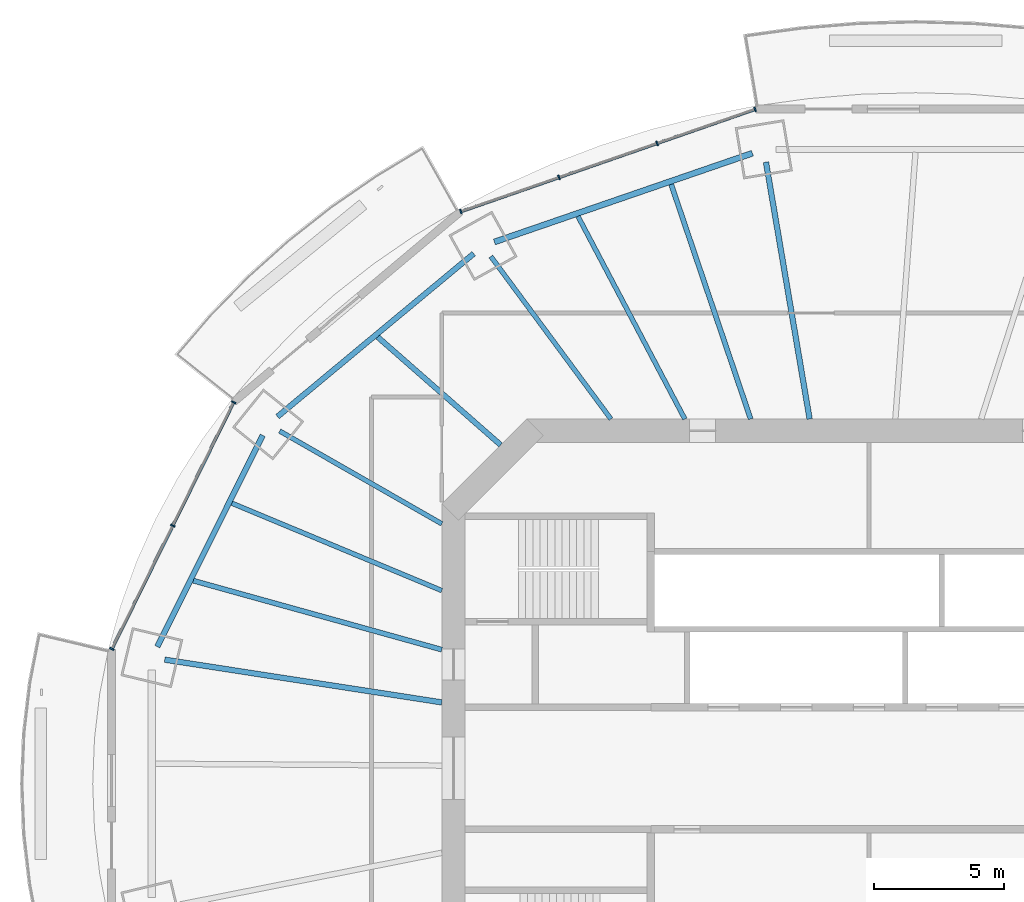
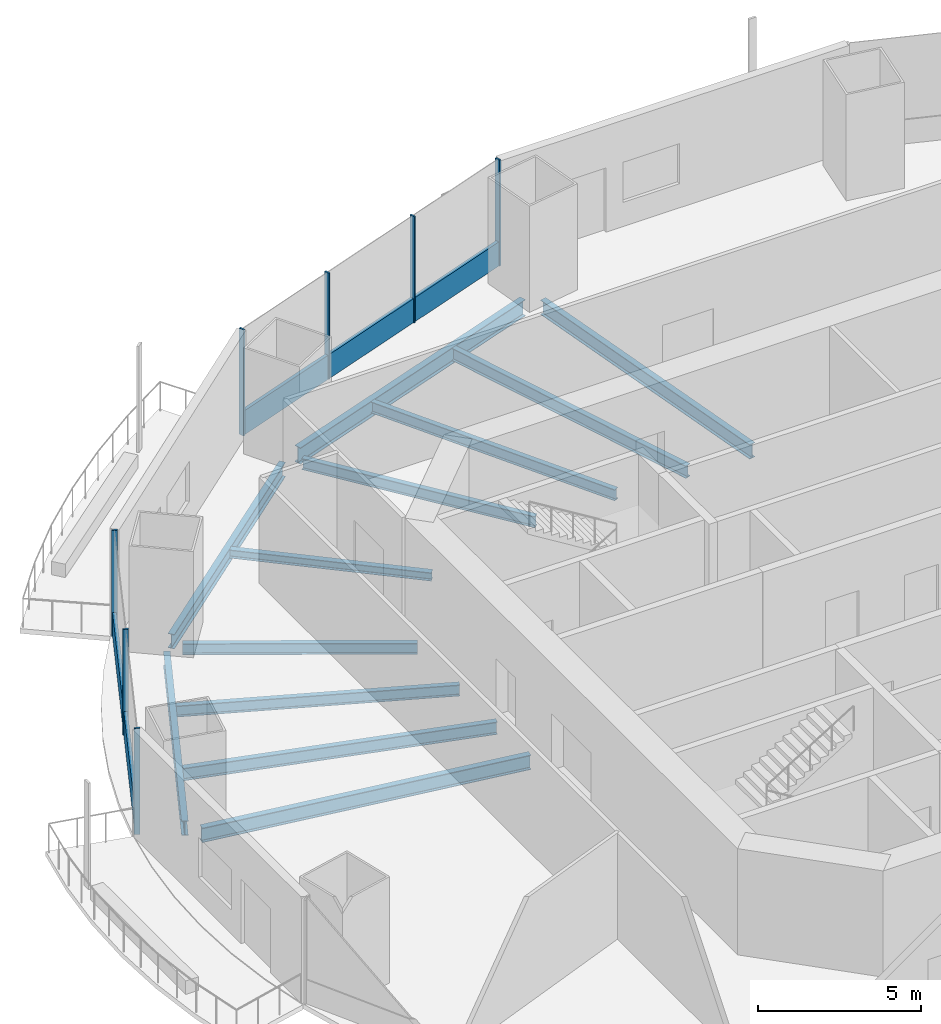
# One storey, part 6 of 21: 12 beams, 9 members, 2 elements without a shape of their own.
"""IFC4 building model written with IfcOpenShell, lengths in metres."""

from ifc_helpers import new_model, si_unit, direction, frame, origin, origin_2d, place, context, subcontext, project, spatial, rectangle, i_section, extrude, material, material_profile, profile_set, type_object, element, aggregate, save


model = new_model("IFC4")

# Units and contexts
model_context = context("Model", 3, precision=1e-05, world=origin(), true_north=direction((0.0, 1.0)))
body_context = subcontext(model_context, "Body", "Model", "MODEL_VIEW")
ifc_project = project(units=[si_unit("LENGTHUNIT", "METRE"), si_unit("AREAUNIT", "SQUARE_METRE"), si_unit("VOLUMEUNIT", "CUBIC_METRE"), si_unit("PLANEANGLEUNIT", "RADIAN"), si_unit("MASSUNIT", "GRAM", prefix="KILO")], contexts=[model_context])

# Site, building, storey
site_placement = place(None, origin())
site = spatial("IfcSite", under=ifc_project, at=site_placement, CompositionType="ELEMENT")
building_placement = place(site_placement, origin())
building = spatial("IfcBuilding", under=site, at=building_placement, Name="Marenthal Gate Tower", CompositionType="ELEMENT")
storey_placement = place(building_placement, frame((0.0, 0.0, 202.550048828125)))
storey = spatial("IfcBuildingStorey", under=building, at=storey_placement, Name="L44", CompositionType="ELEMENT", Elevation=202.550048828125)

# Curtain wall, members
ifc_material_1 = material(Name="Aluminium and glass", Category="aluminium")
curtain_wall_type = type_object("IfcCurtainWallType", Name="Curtain wall typical mid", PredefinedType="NOTDEFINED", material=ifc_material_1)
curtain_wall_1_placement = place(storey_placement, origin())
curtain_wall_1 = element("IfcCurtainWall", 1, at=curtain_wall_1_placement, inside=storey, type_object=curtain_wall_type, Name="Curtain wall L44 bay 5", PredefinedType="NOTDEFINED")
ifc_material_2 = material(Name="Aluminium", Category="aluminium")
ifc_material_profile_1 = material_profile(ifc_material_2, rectangle(XDim=0.179931640625, YDim=0.06005859375, at=origin_2d()), Name="60x180 aluminium mullion")
ifc_profile_set_1 = profile_set([ifc_material_profile_1], Name="Aluminium")
member_type_1 = type_object("IfcMemberType", Name="Mullion 60x180 typical mid", PredefinedType="MULLION", material=ifc_profile_set_1)
member_1_placement = place(storey_placement, frame((-4.3876953125, 25.3759765625, 0.0), z_axis=(0.0, 0.0, 1.0), x_axis=(0.328332307555, -0.944562277362, 0.0)))
member_1 = element("IfcMember", 2, at=member_1_placement, type_object=member_type_1, Name="Mullion L44 bay 5.1", PredefinedType="MULLION", context=body_context, shape_type="SweptSolid", body=[
    extrude(rectangle(XDim=0.179931640625, YDim=0.06005859375, at=origin_2d()), origin(), (0.0, 0.0, 1.0), 3.969970703125),
])
member_2_placement = place(storey_placement, frame((-8.16259765625, 24.06396484375, 0.0), z_axis=(0.0, 0.0, 1.0), x_axis=(0.328332307555, -0.944562277362, 0.0)))
member_2 = element("IfcMember", 3, at=member_2_placement, type_object=member_type_1, Name="Mullion L44 bay 5.2", PredefinedType="MULLION", context=body_context, shape_type="SweptSolid", body=[
    extrude(rectangle(XDim=0.179931640625, YDim=0.06005859375, at=origin_2d()), origin(), (0.0, 0.0, 1.0), 3.969970703125),
])
member_3_placement = place(storey_placement, frame((-11.937255859375, 22.751708984375, 0.0), z_axis=(0.0, 0.0, 1.0), x_axis=(0.328332307555, -0.944562277362, 0.0)))
member_3 = element("IfcMember", 4, at=member_3_placement, type_object=member_type_1, Name="Mullion L44 bay 5.3", PredefinedType="MULLION", context=body_context, shape_type="SweptSolid", body=[
    extrude(rectangle(XDim=0.179931640625, YDim=0.06005859375, at=origin_2d()), origin(), (0.0, 0.0, 1.0), 3.969970703125),
])
member_4_placement = place(storey_placement, frame((-15.712158203125, 21.439697265625, 0.0), z_axis=(0.0, 0.0, 1.0), x_axis=(0.328332307555, -0.944562277362, 0.0)))
member_4 = element("IfcMember", 5, at=member_4_placement, type_object=member_type_1, Name="Mullion L44 bay 5.4", PredefinedType="MULLION", context=body_context, shape_type="SweptSolid", body=[
    extrude(rectangle(XDim=0.179931640625, YDim=0.06005859375, at=origin_2d()), origin(), (0.0, 0.0, 1.0), 3.969970703125),
])

curtain_wall_2_placement = place(storey_placement, origin())
curtain_wall_2 = element("IfcCurtainWall", 6, at=curtain_wall_2_placement, inside=storey, type_object=curtain_wall_type, Name="Curtain wall L44 bay 7", PredefinedType="NOTDEFINED")
member_5_placement = place(storey_placement, frame((-24.464599609375, 14.093017578125, 0.0), z_axis=(0.0, 0.0, 1.0), x_axis=(0.896715617309, -0.442607164057, 0.0)))
member_5 = element("IfcMember", 7, at=member_5_placement, type_object=member_type_1, Name="Mullion L44 bay 7.1", PredefinedType="MULLION", context=body_context, shape_type="SweptSolid", body=[
    extrude(rectangle(XDim=0.179931640625, YDim=0.06005859375, at=origin_2d()), origin(), (0.0, 0.0, 1.0), 3.969970703125),
])
member_6_placement = place(storey_placement, frame((-26.808349609375, 9.34423828125, 0.0), z_axis=(0.0, 0.0, 1.0), x_axis=(0.896715617309, -0.442607164057, 0.0)))
member_6 = element("IfcMember", 8, at=member_6_placement, type_object=member_type_1, Name="Mullion L44 bay 7.2", PredefinedType="MULLION", context=body_context, shape_type="SweptSolid", body=[
    extrude(rectangle(XDim=0.179931640625, YDim=0.06005859375, at=origin_2d()), origin(), (0.0, 0.0, 1.0), 3.969970703125),
])
member_7_placement = place(storey_placement, frame((-29.152099609375, 4.595703125, 0.0), z_axis=(0.0, 0.0, 1.0), x_axis=(0.896715617309, -0.442607164057, 0.0)))
member_7 = element("IfcMember", 9, at=member_7_placement, type_object=member_type_1, Name="Mullion L44 bay 7.3", PredefinedType="MULLION", context=body_context, shape_type="SweptSolid", body=[
    extrude(rectangle(XDim=0.179931640625, YDim=0.06005859375, at=origin_2d()), origin(), (0.0, 0.0, 1.0), 3.969970703125),
])

# Member
ifc_material_3 = material(Name="Aluminium", Category="aluminium")
ifc_material_profile_2 = material_profile(ifc_material_3, rectangle(XDim=0.1201171875, YDim=0.89990234375, at=origin_2d()), Name="120x900 aluminium transom")
ifc_profile_set_2 = profile_set([ifc_material_profile_2], Name="Aluminium")
member_type_2 = type_object("IfcMemberType", Name="Transom 120x900 typical mid", PredefinedType="USERDEFINED", material=ifc_profile_set_2)
member_8_placement = place(storey_placement, frame((-4.416015625, 25.3662109375, 0.449951171875), z_axis=(-0.944561661675, -0.328334078787, 0.0), x_axis=(0.328334078787, -0.944561661675, 0.0)))
member_8 = element("IfcMember", 10, at=member_8_placement, type_object=member_type_2, Name="Transom L44 bay 5", ObjectType="TRANSOM", PredefinedType="USERDEFINED", context=body_context, shape_type="SweptSolid", body=[
    extrude(rectangle(XDim=0.1201171875, YDim=0.89990234375, at=origin_2d()), origin(), (0.0, 0.0, 1.0), 11.92919921875),
])

aggregate(curtain_wall_1, [member_1, member_2, member_3, member_4, member_8])

member_9_placement = place(storey_placement, frame((-24.477783203125, 14.06591796875, 0.449951171875), z_axis=(-0.442617393568, -0.896710568082, 0.0), x_axis=(0.896710568082, -0.442617393568, 0.0)))
member_9 = element("IfcMember", 11, at=member_9_placement, type_object=member_type_2, Name="Transom L44 bay 7", ObjectType="TRANSOM", PredefinedType="USERDEFINED", context=body_context, shape_type="SweptSolid", body=[
    extrude(rectangle(XDim=0.1201171875, YDim=0.89990234375, at=origin_2d()), origin(), (0.0, 0.0, 1.0), 10.53076171875),
])

aggregate(curtain_wall_2, [member_5, member_6, member_7, member_9])

# Beams
ifc_material_4 = material(Name="Steel S355", Category="steel")
ifc_material_profile_3 = material_profile(ifc_material_4, i_section(OverallWidth=0.205078125, OverallDepth=0.31005859375, WebThickness=0.009521484375, FlangeThickness=0.016357421875, FilletRadius=0.0126953125, at=origin_2d()), Name="W310X74")
ifc_profile_set_3 = profile_set([ifc_material_profile_3], Name="Steel S355")
beam_type_1 = type_object("IfcBeamType", Name="W310X74 beam", PredefinedType="BEAM", material=ifc_profile_set_3)
beam_1_placement = place(storey_placement, frame((-18.91943359375, 16.608154296875, -0.3349609375), z_axis=(0.751533938028, -0.659694429256, 0.0), x_axis=(0.659694429256, 0.751533938028, 0.0)))
element("IfcBeam", 12, at=beam_1_placement, inside=storey, type_object=beam_type_1, Name="BM-L44-25", PredefinedType="BEAM", context=body_context, shape_type="SweptSolid", body=[
    extrude(i_section(OverallWidth=0.205078125, OverallDepth=0.31005859375, WebThickness=0.009521484375, FlangeThickness=0.016357421875, FilletRadius=0.0126953125, at=origin_2d()), origin(), (0.0, 0.0, 1.0), 6.30029296875),
])
ifc_material_5 = material(Name="Steel S355", Category="steel")
ifc_material_profile_4 = material_profile(ifc_material_5, i_section(OverallWidth=0.180908203125, OverallDepth=0.4169921875, WebThickness=0.010986328125, FlangeThickness=0.018310546875, FilletRadius=0.01025390625, at=origin_2d()), Name="W410X85")
ifc_profile_set_4 = profile_set([ifc_material_profile_4], Name="Steel S355")
beam_type_2 = type_object("IfcBeamType", Name="W410X85 beam", PredefinedType="BEAM", material=ifc_profile_set_4)
beam_2_placement = place(storey_placement, frame((-14.560546875, 19.70703125, -0.388427734375), z_axis=(0.594245459815, -0.804283739416, 0.0), x_axis=(0.804283739416, 0.594245459815, 0.0)))
element("IfcBeam", 13, at=beam_2_placement, inside=storey, type_object=beam_type_2, Name="BM-L44-06", PredefinedType="BEAM", context=body_context, shape_type="SweptSolid", body=[
    extrude(i_section(OverallWidth=0.180908203125, OverallDepth=0.4169921875, WebThickness=0.010986328125, FlangeThickness=0.018310546875, FilletRadius=0.01025390625, at=origin_2d()), origin(), (0.0, 0.0, 1.0), 7.77978515625),
])
beam_3_placement = place(storey_placement, frame((-22.6923828125, 12.9873046875, -0.388427734375), z_axis=(0.867919181823, -0.496705439697, 0.0), x_axis=(0.496705439697, 0.867919181823, 0.0)))
element("IfcBeam", 14, at=beam_3_placement, inside=storey, type_object=beam_type_2, Name="BM-L44-07", PredefinedType="BEAM", context=body_context, shape_type="SweptSolid", body=[
    extrude(i_section(OverallWidth=0.180908203125, OverallDepth=0.4169921875, WebThickness=0.010986328125, FlangeThickness=0.018310546875, FilletRadius=0.01025390625, at=origin_2d()), origin(), (0.0, 0.0, 1.0), 7.1923828125),
])
beam_4_placement = place(storey_placement, frame((-11.204833984375, 21.253662109375, -0.388427734375), z_axis=(0.466349709383, -0.884600445714, 0.0), x_axis=(0.884600445714, 0.466349709383, 0.0)))
element("IfcBeam", 15, at=beam_4_placement, inside=storey, type_object=beam_type_2, Name="BM-L44-24", PredefinedType="BEAM", context=body_context, shape_type="SweptSolid", body=[
    extrude(i_section(OverallWidth=0.180908203125, OverallDepth=0.4169921875, WebThickness=0.010986328125, FlangeThickness=0.018310546875, FilletRadius=0.01025390625, at=origin_2d()), origin(), (0.0, 0.0, 1.0), 8.82177734375),
])
beam_5_placement = place(storey_placement, frame((-24.531982421875, 10.20751953125, -0.388427734375), z_axis=(0.923258350407, -0.384179669431, 0.0), x_axis=(0.384179669431, 0.923258350407, 0.0)))
element("IfcBeam", 16, at=beam_5_placement, inside=storey, type_object=beam_type_2, Name="BM-L44-26", PredefinedType="BEAM", context=body_context, shape_type="SweptSolid", body=[
    extrude(i_section(OverallWidth=0.180908203125, OverallDepth=0.4169921875, WebThickness=0.010986328125, FlangeThickness=0.018310546875, FilletRadius=0.01025390625, at=origin_2d()), origin(), (0.0, 0.0, 1.0), 8.75390625),
])
ifc_material_6 = material(Name="Steel S355", Category="steel")
ifc_material_profile_5 = material_profile(ifc_material_6, i_section(OverallWidth=0.193115234375, OverallDepth=0.467041015625, WebThickness=0.011474609375, FlangeThickness=0.01904296875, FilletRadius=0.010009765625, at=origin_2d()), Name="W460X97")
ifc_profile_set_5 = profile_set([ifc_material_profile_5], Name="Steel S355")
beam_type_3 = type_object("IfcBeamType", Name="W460X97 beam", PredefinedType="BEAM", material=ifc_profile_set_5)
beam_6_placement = place(storey_placement, frame((-7.6181640625, 22.48779296875, -0.41357421875), z_axis=(0.320859970295, -0.947126643835, 0.0), x_axis=(0.947126643835, 0.320859970295, 0.0)))
element("IfcBeam", 17, at=beam_6_placement, inside=storey, type_object=beam_type_3, Name="BM-L44-23", PredefinedType="BEAM", context=body_context, shape_type="SweptSolid", body=[
    extrude(i_section(OverallWidth=0.193115234375, OverallDepth=0.467041015625, WebThickness=0.011474609375, FlangeThickness=0.01904296875, FilletRadius=0.010009765625, at=origin_2d()), origin(), (0.0, 0.0, 1.0), 9.54248046875),
])
beam_7_placement = place(storey_placement, frame((-26.018798828125, 7.2255859375, -0.41357421875), z_axis=(0.963531996353, -0.267593146408, 0.0), x_axis=(0.267593146408, 0.963531996353, 0.0)))
element("IfcBeam", 18, at=beam_7_placement, inside=storey, type_object=beam_type_3, Name="BM-L44-27", PredefinedType="BEAM", context=body_context, shape_type="SweptSolid", body=[
    extrude(i_section(OverallWidth=0.193115234375, OverallDepth=0.467041015625, WebThickness=0.011474609375, FlangeThickness=0.01904296875, FilletRadius=0.010009765625, at=origin_2d()), origin(), (0.0, 0.0, 1.0), 9.930908203125),
])
ifc_material_7 = material(Name="Steel S355", Category="steel")
ifc_material_profile_6 = material_profile(ifc_material_7, i_section(OverallWidth=0.2119140625, OverallDepth=0.5439453125, WebThickness=0.01318359375, FlangeThickness=0.021240234375, FilletRadius=0.0126953125, at=origin_2d()), Name="W530X123")
ifc_profile_set_6 = profile_set([ifc_material_profile_6], Name="Steel S355")
beam_type_4 = type_object("IfcBeamType", Name="W530X123 beam", PredefinedType="BEAM", material=ifc_profile_set_6)
beam_8_placement = place(storey_placement, frame((-3.96728515625, 23.34326171875, -0.4521484375), z_axis=(0.167550331525, -0.985863523215, 0.0), x_axis=(0.985863523215, 0.167550331525, 0.0)))
element("IfcBeam", 19, at=beam_8_placement, inside=storey, type_object=beam_type_4, Name="BM-L44-05", PredefinedType="BEAM", context=body_context, shape_type="SweptSolid", body=[
    extrude(i_section(OverallWidth=0.2119140625, OverallDepth=0.5439453125, WebThickness=0.01318359375, FlangeThickness=0.021240234375, FilletRadius=0.0126953125, at=origin_2d()), origin(), (0.0, 0.0, 1.0), 10.03515625),
])
beam_9_placement = place(storey_placement, frame((-27.118408203125, 4.183837890625, -0.4521484375), z_axis=(0.988309648114, -0.152459960134, 0.0), x_axis=(0.152459960134, 0.988309648114, 0.0)))
element("IfcBeam", 20, at=beam_9_placement, inside=storey, type_object=beam_type_4, Name="BM-L44-08", PredefinedType="BEAM", context=body_context, shape_type="SweptSolid", body=[
    extrude(i_section(OverallWidth=0.2119140625, OverallDepth=0.5439453125, WebThickness=0.01318359375, FlangeThickness=0.021240234375, FilletRadius=0.0126953125, at=origin_2d()), origin(), (0.0, 0.0, 1.0), 10.794677734375),
])
beam_10_placement = place(storey_placement, frame((-15.2216796875, 19.81787109375, -0.4521484375), z_axis=(-0.769206538699, -0.639000235386, 0.0), x_axis=(0.639000235386, -0.769206538699, 0.0)))
element("IfcBeam", 21, at=beam_10_placement, inside=storey, type_object=beam_type_4, Name="BM-L44-46", PredefinedType="BEAM", context=body_context, shape_type="SweptSolid", body=[
    extrude(i_section(OverallWidth=0.2119140625, OverallDepth=0.5439453125, WebThickness=0.01318359375, FlangeThickness=0.021240234375, FilletRadius=0.0126953125, at=origin_2d()), origin(), (0.0, 0.0, 1.0), 9.8212890625),
])
beam_11_placement = place(storey_placement, frame((-23.34814453125, 12.8193359375, -0.4521484375), z_axis=(-0.44623554271, -0.894915549324, 0.0), x_axis=(0.894915549324, -0.44623554271, 0.0)))
element("IfcBeam", 22, at=beam_11_placement, inside=storey, type_object=beam_type_4, Name="BM-L44-47", PredefinedType="BEAM", context=body_context, shape_type="SweptSolid", body=[
    extrude(i_section(OverallWidth=0.2119140625, OverallDepth=0.5439453125, WebThickness=0.01318359375, FlangeThickness=0.021240234375, FilletRadius=0.0126953125, at=origin_2d()), origin(), (0.0, 0.0, 1.0), 9.088623046875),
])
ifc_material_8 = material(Name="Steel S355", Category="steel")
ifc_material_profile_7 = material_profile(ifc_material_8, i_section(OverallWidth=0.22900390625, OverallDepth=0.612060546875, WebThickness=0.011962890625, FlangeThickness=0.01953125, FilletRadius=0.0126953125, at=origin_2d()), Name="W610X125")
ifc_profile_set_7 = profile_set([ifc_material_profile_7], Name="Steel S355")
beam_type_5 = type_object("IfcBeamType", Name="W610X125 beam", PredefinedType="BEAM", material=ifc_profile_set_7)
beam_12_placement = place(storey_placement, frame((-4.489501953125, 23.685546875, -0.486083984375), z_axis=(-0.945582956363, -0.325381119053, 0.0), x_axis=(0.325381119053, -0.945582956363, 0.0)))
element("IfcBeam", 23, at=beam_12_placement, inside=storey, type_object=beam_type_5, Name="BM-L44-45", PredefinedType="BEAM", context=body_context, shape_type="SweptSolid", body=[
    extrude(i_section(OverallWidth=0.22900390625, OverallDepth=0.612060546875, WebThickness=0.011962890625, FlangeThickness=0.01953125, FilletRadius=0.0126953125, at=origin_2d()), origin(), (0.0, 0.0, 1.0), 10.50537109375),
])

save(model, "model.ifc")
